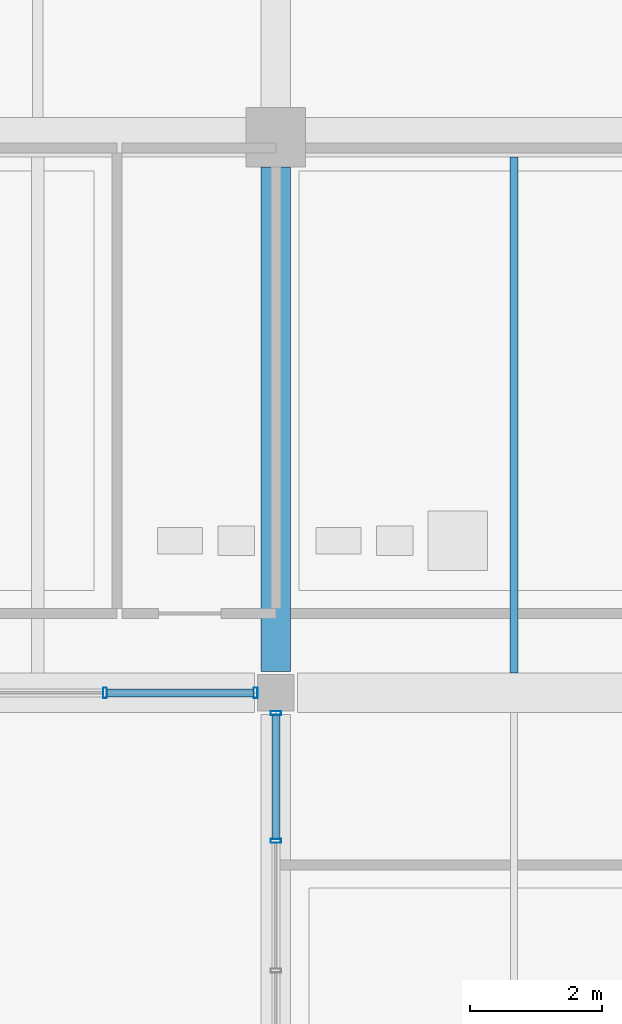
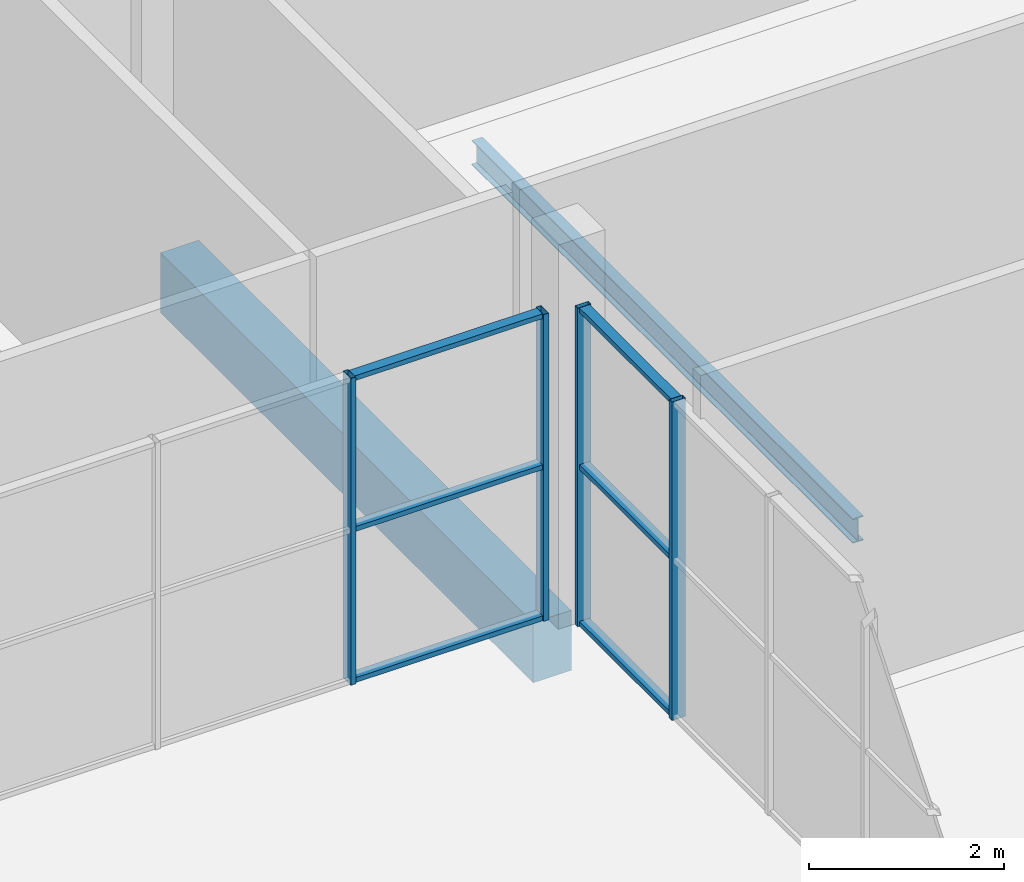
# One storey, part 32 of 130: 10 members, 2 beams, 2 elements without a shape of their own.
"""IFC4 building model written with IfcOpenShell, lengths in metres."""

from ifc_helpers import new_model, si_unit, direction, frame, origin, origin_2d, place, context, subcontext, project, spatial, rectangle, hollow_rectangle, i_section, extrude, material, material_profile, profile_set, type_object, element, aggregate, save


model = new_model("IFC4")

# Units and contexts
model_context = context("Model", 3, precision=1e-05, world=origin(), true_north=direction((0.0, 1.0)))
body_context = subcontext(model_context, "Body", "Model", "MODEL_VIEW")
ifc_project = project(units=[si_unit("LENGTHUNIT", "METRE"), si_unit("AREAUNIT", "SQUARE_METRE"), si_unit("VOLUMEUNIT", "CUBIC_METRE"), si_unit("PLANEANGLEUNIT", "RADIAN"), si_unit("MASSUNIT", "GRAM", prefix="KILO"), si_unit("THERMODYNAMICTEMPERATUREUNIT", "KELVIN")], contexts=[model_context])

# Site, building, storey
site_placement = place(None, origin())
site = spatial("IfcSite", under=ifc_project, at=site_placement, CompositionType="ELEMENT")
building_placement = place(site_placement, origin())
building = spatial("IfcBuilding", under=site, at=building_placement, Name="Nduvali Passage Aquatics Centre", CompositionType="ELEMENT")
storey_placement = place(building_placement, origin())
storey = spatial("IfcBuildingStorey", under=building, at=storey_placement, Name="L00", CompositionType="ELEMENT", Elevation=0.0)

# Curtain wall, members
ifc_material_1 = material(Name="Aluminium EN AW-6063 T6", Category="aluminium")
curtain_wall_type = type_object("IfcCurtainWallType", Name="ENV-CW-COUR", PredefinedType="NOTDEFINED", material=ifc_material_1)
curtain_wall_1_placement = place(storey_placement, origin())
curtain_wall_1 = element("IfcCurtainWall", 1, at=curtain_wall_1_placement, inside=storey, type_object=curtain_wall_type, Name="L00 Monsoon Courtyard Cloister CW 165", PredefinedType="NOTDEFINED")
ifc_material_profile_1 = material_profile(ifc_material_1, hollow_rectangle(XDim=0.06005859375, YDim=0.159912109375, WallThickness=0.00390625, at=origin_2d()), Name="ALU MULLION 60x160x4")
ifc_profile_set_1 = profile_set([ifc_material_profile_1], Name="Aluminium EN AW-6063 T6")
member_type_1 = type_object("IfcMemberType", Name="ENV-MEM-MUL60", PredefinedType="MULLION", material=ifc_profile_set_1)
member_1_placement = place(storey_placement, frame((94.61669921875, 16.800048828125, 0.0), z_axis=(0.0, 0.0, 1.0), x_axis=(1.0, 0.0, 0.0)))
member_1 = element("IfcMember", 2, at=member_1_placement, type_object=member_type_1, Name="Monsoon Courtyard Cloister CW Mullion 6", PredefinedType="MULLION", context=body_context, shape_type="SweptSolid", body=[
    extrude(hollow_rectangle(XDim=0.06005859375, YDim=0.159912109375, WallThickness=0.00390625, at=origin_2d()), origin(), (0.0, 0.0, 1.0), 3.83251953125),
])
member_2_placement = place(storey_placement, frame((96.89501953125, 16.800048828125, 0.0), z_axis=(0.0, 0.0, 1.0), x_axis=(1.0, 0.0, 0.0)))
member_2 = element("IfcMember", 3, at=member_2_placement, type_object=member_type_1, Name="Monsoon Courtyard Cloister CW Mullion 7", PredefinedType="MULLION", context=body_context, shape_type="SweptSolid", body=[
    extrude(hollow_rectangle(XDim=0.06005859375, YDim=0.159912109375, WallThickness=0.00390625, at=origin_2d()), origin(), (0.0, 0.0, 1.0), 3.83251953125),
])

curtain_wall_2_placement = place(storey_placement, origin())
curtain_wall_2 = element("IfcCurtainWall", 4, at=curtain_wall_2_placement, inside=storey, type_object=curtain_wall_type, Name="L00 Courtyard East Cloister CW 172", PredefinedType="NOTDEFINED")
member_3_placement = place(storey_placement, frame((97.199951171875, 14.5625, 0.0), z_axis=(0.0, 0.0, 1.0), x_axis=(0.0, 1.0, 0.0)))
member_3 = element("IfcMember", 5, at=member_3_placement, type_object=member_type_1, Name="Courtyard East Cloister CW Mullion 4", PredefinedType="MULLION", context=body_context, shape_type="SweptSolid", body=[
    extrude(hollow_rectangle(XDim=0.06005859375, YDim=0.159912109375, WallThickness=0.00390625, at=origin_2d()), origin(), (0.0, 0.0, 1.0), 3.976318359375),
])
member_4_placement = place(storey_placement, frame((97.199951171875, 16.4951171875, 0.0), z_axis=(0.0, 0.0, 1.0), x_axis=(0.0, 1.0, 0.0)))
member_4 = element("IfcMember", 6, at=member_4_placement, type_object=member_type_1, Name="Courtyard East Cloister CW Mullion 5", PredefinedType="MULLION", context=body_context, shape_type="SweptSolid", body=[
    extrude(hollow_rectangle(XDim=0.06005859375, YDim=0.159912109375, WallThickness=0.00390625, at=origin_2d()), origin(), (0.0, 0.0, 1.0), 3.976318359375),
])

# Member
ifc_material_profile_2 = material_profile(ifc_material_1, hollow_rectangle(XDim=0.1201171875, YDim=0.06005859375, WallThickness=0.00390625, at=origin_2d()), Name="ALU TRANSOM 120x60x4")
ifc_profile_set_2 = profile_set([ifc_material_profile_2], Name="Aluminium EN AW-6063 T6")
member_type_2 = type_object("IfcMemberType", Name="ENV-MEM-TRN60", PredefinedType="USERDEFINED", material=ifc_profile_set_2)
member_5_placement = place(storey_placement, frame((94.646728515625, 16.800048828125, 0.030029296875), z_axis=(1.0, 0.0, 0.0), x_axis=(0.0, 1.0, 0.0)))
member_5 = element("IfcMember", 7, at=member_5_placement, type_object=member_type_2, Name="Monsoon Courtyard Cloister CW Transom B6-R0", ObjectType="TRANSOM", PredefinedType="USERDEFINED", context=body_context, shape_type="SweptSolid", body=[
    extrude(hollow_rectangle(XDim=0.1201171875, YDim=0.06005859375, WallThickness=0.00390625, at=origin_2d()), origin(), (0.0, 0.0, 1.0), 2.21826171875),
])

member_6_placement = place(storey_placement, frame((94.646728515625, 16.800048828125, 1.916259765625), z_axis=(1.0, 0.0, 0.0), x_axis=(0.0, 1.0, 0.0)))
member_6 = element("IfcMember", 8, at=member_6_placement, type_object=member_type_2, Name="Monsoon Courtyard Cloister CW Transom B6-R1", ObjectType="TRANSOM", PredefinedType="USERDEFINED", context=body_context, shape_type="SweptSolid", body=[
    extrude(hollow_rectangle(XDim=0.1201171875, YDim=0.06005859375, WallThickness=0.00390625, at=origin_2d()), origin(), (0.0, 0.0, 1.0), 2.21826171875),
])

member_7_placement = place(storey_placement, frame((94.646728515625, 16.800048828125, 3.802490234375), z_axis=(1.0, 0.0, 0.0), x_axis=(0.0, 1.0, 0.0)))
member_7 = element("IfcMember", 9, at=member_7_placement, type_object=member_type_2, Name="Monsoon Courtyard Cloister CW Transom B6-R2", ObjectType="TRANSOM", PredefinedType="USERDEFINED", context=body_context, shape_type="SweptSolid", body=[
    extrude(hollow_rectangle(XDim=0.1201171875, YDim=0.06005859375, WallThickness=0.00390625, at=origin_2d()), origin(), (0.0, 0.0, 1.0), 2.21826171875),
])

aggregate(curtain_wall_1, [member_1, member_2, member_5, member_6, member_7])

member_8_placement = place(storey_placement, frame((97.199951171875, 14.592529296875, 0.030029296875), z_axis=(0.0, 1.0, 0.0), x_axis=(-1.0, 0.0, 0.0)))
member_8 = element("IfcMember", 10, at=member_8_placement, type_object=member_type_2, Name="Courtyard East Cloister CW Transom B4-R0", ObjectType="TRANSOM", PredefinedType="USERDEFINED", context=body_context, shape_type="SweptSolid", body=[
    extrude(hollow_rectangle(XDim=0.1201171875, YDim=0.06005859375, WallThickness=0.00390625, at=origin_2d()), origin(), (0.0, 0.0, 1.0), 1.87255859375),
])

member_9_placement = place(storey_placement, frame((97.199951171875, 14.592529296875, 1.98828125), z_axis=(0.0, 1.0, 0.0), x_axis=(-1.0, 0.0, 0.0)))
member_9 = element("IfcMember", 11, at=member_9_placement, type_object=member_type_2, Name="Courtyard East Cloister CW Transom B4-R1", ObjectType="TRANSOM", PredefinedType="USERDEFINED", context=body_context, shape_type="SweptSolid", body=[
    extrude(hollow_rectangle(XDim=0.1201171875, YDim=0.06005859375, WallThickness=0.00390625, at=origin_2d()), origin(), (0.0, 0.0, 1.0), 1.87255859375),
])

member_10_placement = place(storey_placement, frame((97.199951171875, 14.592529296875, 3.9462890625), z_axis=(0.0, 1.0, 0.0), x_axis=(-1.0, 0.0, 0.0)))
member_10 = element("IfcMember", 12, at=member_10_placement, type_object=member_type_2, Name="Courtyard East Cloister CW Transom B4-R2", ObjectType="TRANSOM", PredefinedType="USERDEFINED", context=body_context, shape_type="SweptSolid", body=[
    extrude(hollow_rectangle(XDim=0.1201171875, YDim=0.06005859375, WallThickness=0.00390625, at=origin_2d()), origin(), (0.0, 0.0, 1.0), 1.87255859375),
])

aggregate(curtain_wall_2, [member_3, member_4, member_8, member_9, member_10])

# Beams
ifc_material_2 = material(Name="Concrete C40/50", Category="concrete")
ifc_material_profile_3 = material_profile(ifc_material_2, rectangle(XDim=0.449951171875, YDim=0.75, at=origin_2d()), Name="RC 450x750")
ifc_profile_set_3 = profile_set([ifc_material_profile_3], Name="Concrete C40/50")
beam_type_1 = type_object("IfcBeamType", Name="STR-BM-RC4575", PredefinedType="BEAM", material=ifc_profile_set_3)
beam_1_placement = place(storey_placement, frame((97.199951171875, 17.125, -0.675048828125), z_axis=(0.0, 1.0, 0.0), x_axis=(-1.0, 0.0, 0.0)))
element("IfcBeam", 13, at=beam_1_placement, inside=storey, type_object=beam_type_1, Name="L00 Primary Y-Girder B3-0171", PredefinedType="BEAM", context=body_context, shape_type="SweptSolid", body=[
    extrude(rectangle(XDim=0.449951171875, YDim=0.75, at=origin_2d()), origin(), (0.0, 0.0, 1.0), 7.625),
])
ifc_material_3 = material(Name="Steel S355", Category="steel")
ifc_material_profile_4 = material_profile(ifc_material_3, i_section(OverallWidth=0.124267578125, OverallDepth=0.30712890625, WebThickness=0.008056640625, FlangeThickness=0.01220703125, FilletRadius=0.0087890625, at=origin_2d()), Name="UKB 305x127x42")
ifc_profile_set_4 = profile_set([ifc_material_profile_4], Name="Steel S355")
beam_type_2 = type_object("IfcBeamType", Name="STR-JST-UKB305L", PredefinedType="JOIST", material=ifc_profile_set_4)
beam_2_placement = place(storey_placement, frame((100.800048828125, 17.10009765625, -0.45751953125), z_axis=(0.0, 1.0, 0.0), x_axis=(-1.0, 0.0, 0.0)))
element("IfcBeam", 14, at=beam_2_placement, inside=storey, type_object=beam_type_2, Name="L00 Secondary Joist J3A-0285", PredefinedType="JOIST", context=body_context, shape_type="SweptSolid", body=[
    extrude(i_section(OverallWidth=0.124267578125, OverallDepth=0.30712890625, WebThickness=0.008056640625, FlangeThickness=0.01220703125, FilletRadius=0.0087890625, at=origin_2d()), origin(), (0.0, 0.0, 1.0), 7.7998046875),
])

save(model, "model.ifc")
